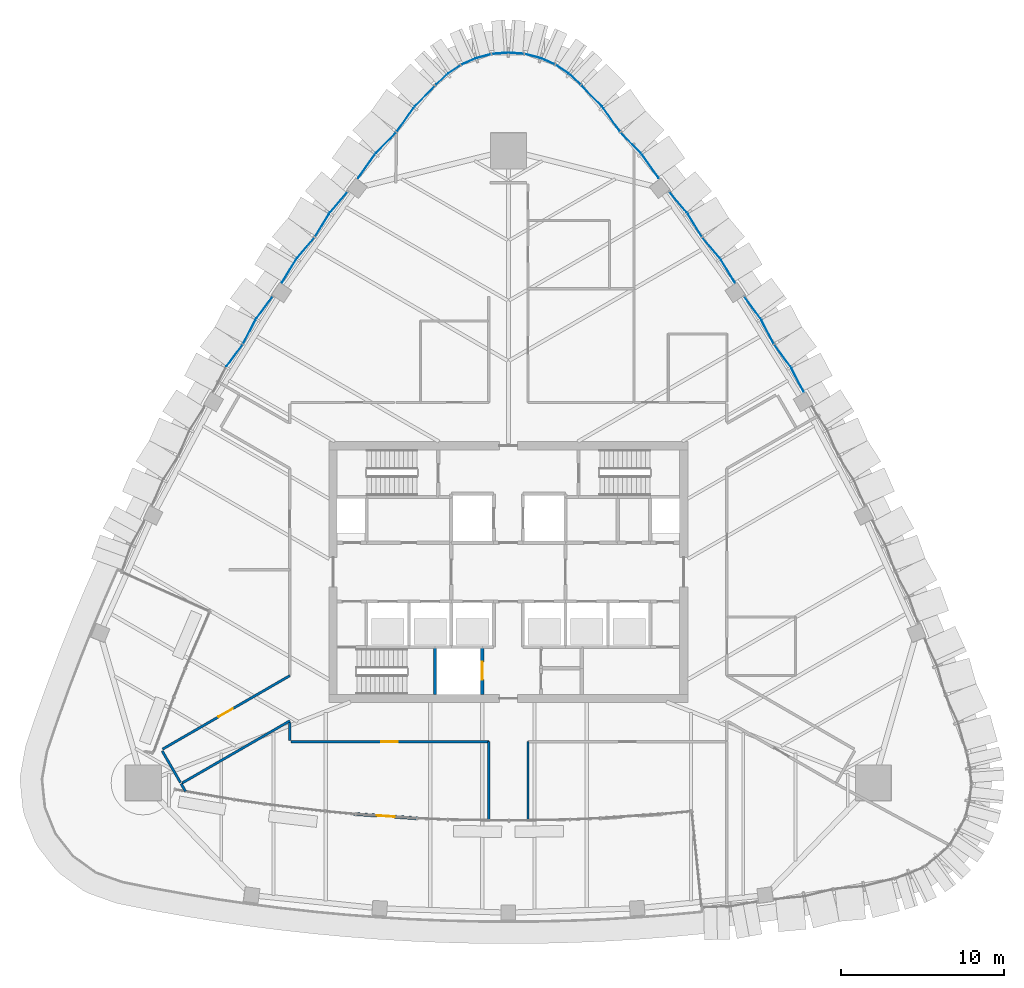
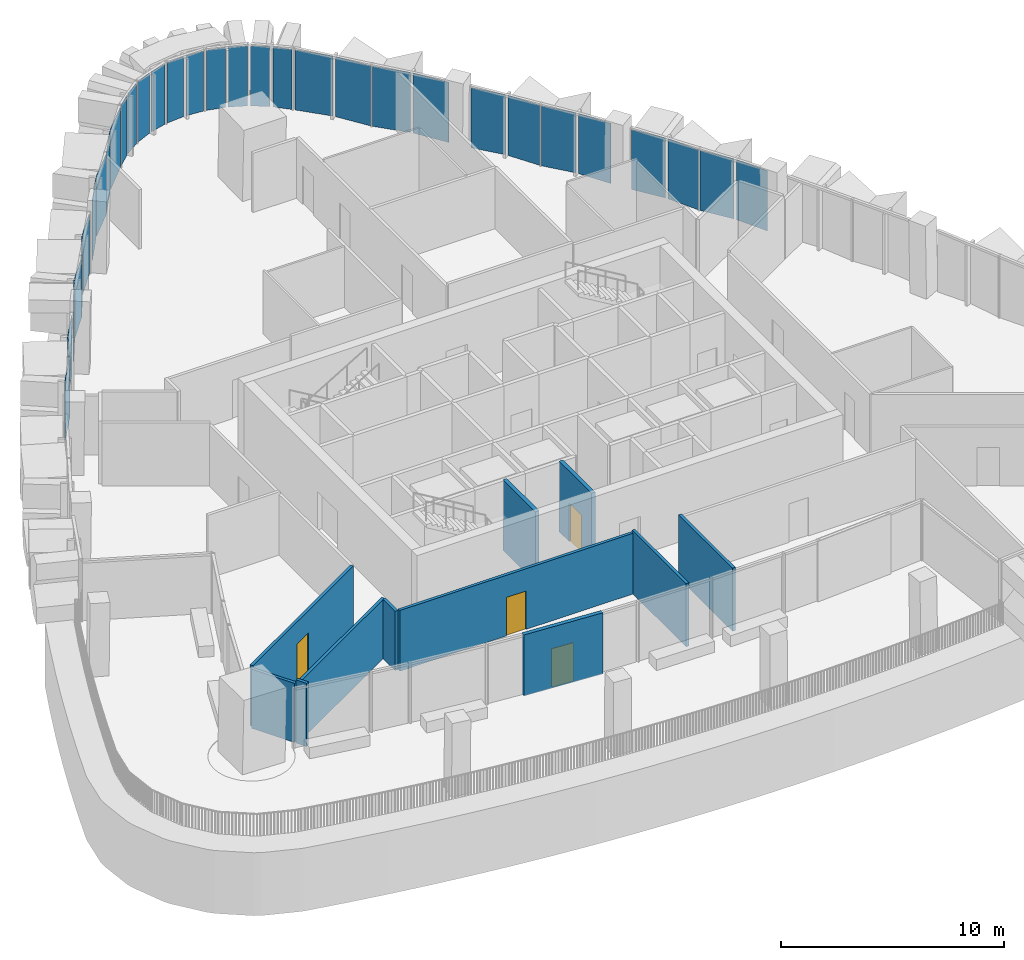
# One storey, part 11 of 22: 33 plates, 11 walls, 4 doors, 4 openings, 11 elements without a shape of their own.
"""IFC4 building model written with IfcOpenShell, lengths in metres."""

from ifc_helpers import new_model, si_unit, direction, frame, frame_2d, origin, place, context, subcontext, project, spatial, polyline, rectangle, outline, extrude, material, layer, layer_set, type_object, element, fill, aggregate, save


model = new_model("IFC4")

# Units and contexts
model_context = context("Model", 3, precision=1e-05, world=origin(), true_north=direction((0.0, 1.0)))
body_context = subcontext(model_context, "Body", "Model", "MODEL_VIEW")
ifc_project = project(units=[si_unit("LENGTHUNIT", "METRE"), si_unit("AREAUNIT", "SQUARE_METRE"), si_unit("VOLUMEUNIT", "CUBIC_METRE"), si_unit("PLANEANGLEUNIT", "RADIAN"), si_unit("MASSUNIT", "GRAM", prefix="KILO")], contexts=[model_context])

# Site, building, storey
site_placement = place(None, origin())
site = spatial("IfcSite", under=ifc_project, at=site_placement, CompositionType="ELEMENT")
building_placement = place(site_placement, origin())
building = spatial("IfcBuilding", under=site, at=building_placement, Name="Sierra Prisma Convention Tower", CompositionType="ELEMENT")
storey_placement = place(building_placement, frame((0.0, 0.0, 227.0)))
storey = spatial("IfcBuildingStorey", under=building, at=storey_placement, Name="L50", CompositionType="ELEMENT", Elevation=227.0)

# Curtain wall, plates
ifc_material_1 = material(Name="Aluminium and glass curtain wall", Category="aluminium")
ifc_layer_1 = layer(ifc_material_1, 0.179931640625)
ifc_layer_set_1 = layer_set([ifc_layer_1], Name="CW-2 Faceted crystal curtain wall")
curtain_wall_type = type_object("IfcCurtainWallType", Name="CW-2 Faceted crystal curtain wall", PredefinedType="NOTDEFINED", material=ifc_layer_set_1)
curtain_wall_1_placement = place(storey_placement, origin())
curtain_wall_1 = element("IfcCurtainWall", 1, at=curtain_wall_1_placement, inside=storey, type_object=curtain_wall_type, Name="CW-2 NE4 L50", PredefinedType="NOTDEFINED")
ifc_material_2 = material(Name="Tinted glass bronze-grey IGU", Category="glass")
ifc_layer_2 = layer(ifc_material_2, 0.028076171875)
ifc_layer_set_2 = layer_set([ifc_layer_2], Name="CW-2 crystal pane")
plate_type = type_object("IfcPlateType", Name="CW-2 crystal pane", PredefinedType="CURTAIN_PANEL", material=ifc_layer_set_2)
plate_1_placement = place(storey_placement, frame((18.117919921875, 11.060546875, 0.0), z_axis=(0.887389616855, 0.461020246732, 0.0), x_axis=(-0.461020246732, 0.887389616855, 0.0)))
plate_1 = element("IfcPlate", 2, at=plate_1_placement, type_object=plate_type, Name="CW-2 pane NE4.1.1", PredefinedType="CURTAIN_PANEL", context=body_context, shape_type="SweptSolid", body=[
    extrude(outline(polyline([(0.0, 0.0), (1.6416544454703834, 0.0), (1.6416544454703834, 3.280029296875), (0.0, 3.280029296875), (0.0, 0.0)])), origin(), (0.0, 0.0, -1.0), 0.028076171875),
])
plate_2_placement = place(storey_placement, frame((16.317138671875, 13.94775390625, 0.0), z_axis=(0.804333752814, 0.594177763035, 0.0), x_axis=(0.594177763035, -0.804333752814, 0.0)))
plate_2 = element("IfcPlate", 3, at=plate_2_placement, type_object=plate_type, Name="CW-2 pane NE4.1.2", PredefinedType="CURTAIN_PANEL", context=body_context, shape_type="SweptSolid", body=[
    extrude(outline(polyline([(0.0, 0.0), (1.6414983150730325, 0.0), (1.6414983150730325, -3.280029296875), (0.0, -3.280029296875), (0.0, 0.0)])), origin(), (0.0, 0.0, -1.0), 0.028076171875),
])
plate_3_placement = place(storey_placement, frame((16.2802734375, 14.00732421875, 0.0), z_axis=(0.887389616855, 0.461020246732, 0.0), x_axis=(-0.461020246732, 0.887389616855, 0.0)))
plate_3 = element("IfcPlate", 4, at=plate_3_placement, type_object=plate_type, Name="CW-2 pane NE4.2.1", PredefinedType="CURTAIN_PANEL", context=body_context, shape_type="SweptSolid", body=[
    extrude(outline(polyline([(0.0, 0.0), (1.6416544454703834, 0.0), (1.6416544454703834, 3.280029296875), (0.0, 3.280029296875), (0.0, 0.0)])), origin(), (0.0, 0.0, -1.0), 0.028076171875),
])
plate_4_placement = place(storey_placement, frame((14.4794921875, 16.89453125, 0.0), z_axis=(0.80438625223, 0.594106688419, 0.0), x_axis=(0.594106688419, -0.80438625223, 0.0)))
plate_4 = element("IfcPlate", 5, at=plate_4_placement, type_object=plate_type, Name="CW-2 pane NE4.2.2", PredefinedType="CURTAIN_PANEL", context=body_context, shape_type="SweptSolid", body=[
    extrude(outline(polyline([(0.0, 0.0), (1.6416946920271562, 0.0), (1.6416946920271562, -3.280029296875001), (0.0, -3.280029296875001), (0.0, 0.0)])), origin(), (0.0, 0.0, -1.0), 0.028076171875),
])
aggregate(curtain_wall_1, [plate_1, plate_2, plate_3, plate_4])

curtain_wall_2_placement = place(storey_placement, origin())
curtain_wall_2 = element("IfcCurtainWall", 6, at=curtain_wall_2_placement, inside=storey, type_object=curtain_wall_type, Name="CW-2 NE5 L50", PredefinedType="NOTDEFINED")
plate_5_placement = place(storey_placement, frame((13.893310546875, 17.767578125, 0.0), z_axis=(0.853912784425, 0.520416137909, 0.0), x_axis=(-0.520416137909, 0.853912784425, 0.0)))
plate_5 = element("IfcPlate", 7, at=plate_5_placement, type_object=plate_type, Name="CW-2 pane NE5.1.1", PredefinedType="CURTAIN_PANEL", context=body_context, shape_type="SweptSolid", body=[
    extrude(outline(polyline([(0.0, 0.0), (1.6339650808896473, 0.0), (1.6339650808896473, 3.280029296875), (0.0, 3.280029296875), (0.0, 0.0)])), origin(), (0.0, 0.0, -1.0), 0.028076171875),
])
plate_6_placement = place(storey_placement, frame((11.9091796875, 20.51318359375, 0.0), z_axis=(0.762013044128, 0.647561673186, 0.0), x_axis=(0.647561673186, -0.762013044128, 0.0)))
plate_6 = element("IfcPlate", 8, at=plate_6_placement, type_object=plate_type, Name="CW-2 pane NE5.1.2", PredefinedType="CURTAIN_PANEL", context=body_context, shape_type="SweptSolid", body=[
    extrude(outline(polyline([(0.0, 0.0), (1.6339840860934256, 0.0), (1.6339840860934256, -3.280029296875), (0.0, -3.280029296875), (0.0, 0.0)])), origin(), (0.0, 0.0, -1.0), 0.028076171875),
])
plate_7_placement = place(storey_placement, frame((11.8681640625, 20.570068359375, 0.0), z_axis=(0.853953243474, 0.520349745805, 0.0), x_axis=(-0.520349745805, 0.853953243474, 0.0)))
plate_7 = element("IfcPlate", 9, at=plate_7_placement, type_object=plate_type, Name="CW-2 pane NE5.2.1", PredefinedType="CURTAIN_PANEL", context=body_context, shape_type="SweptSolid", body=[
    extrude(outline(polyline([(0.0, 0.0), (1.6341735606296959, 0.0), (1.6341735606296959, 3.280029296875), (0.0, 3.280029296875), (0.0, 0.0)])), origin(), (0.0, 0.0, -1.0), 0.028076171875),
])
plate_8_placement = place(storey_placement, frame((9.884033203125, 23.31591796875, 0.0), z_axis=(0.762149408278, 0.647401173509, 0.0), x_axis=(0.647401173509, -0.762149408278, 0.0)))
plate_8 = element("IfcPlate", 10, at=plate_8_placement, type_object=plate_type, Name="CW-2 pane NE5.2.2", PredefinedType="CURTAIN_PANEL", context=body_context, shape_type="SweptSolid", body=[
    extrude(outline(polyline([(0.0, 0.0), (1.63401206456123, 0.0), (1.63401206456123, -3.280029296875), (0.0, -3.280029296875), (0.0, 0.0)])), origin(), (0.0, 0.0, -1.0), 0.028076171875),
])
aggregate(curtain_wall_2, [plate_5, plate_6, plate_7, plate_8])

curtain_wall_3_placement = place(storey_placement, origin())
curtain_wall_3 = element("IfcCurtainWall", 11, at=curtain_wall_3_placement, inside=storey, type_object=curtain_wall_type, Name="CW-2 NE6 L50", PredefinedType="NOTDEFINED")
plate_9_placement = place(storey_placement, frame((9.221923828125, 24.17138671875, 0.0), z_axis=(0.816632809435, 0.577157564756, 0.0), x_axis=(-0.577157564756, 0.816632809435, 0.0)))
plate_9 = element("IfcPlate", 12, at=plate_9_placement, type_object=plate_type, Name="CW-2 pane NE6.1.1", PredefinedType="CURTAIN_PANEL", context=body_context, shape_type="SweptSolid", body=[
    extrude(outline(polyline([(0.0, 0.0), (1.757586418024108, 0.0), (1.757586418024108, 3.280029296875), (0.0, 3.280029296875), (0.0, 0.0)])), origin(), (0.0, 0.0, -1.0), 0.028076171875),
])
plate_10_placement = place(storey_placement, frame((6.898193359375, 26.965087890625, 0.0), z_axis=(0.716215345713, 0.697879343845, 0.0), x_axis=(0.697879343845, -0.716215345713, 0.0)))
plate_10 = element("IfcPlate", 13, at=plate_10_placement, type_object=plate_type, Name="CW-2 pane NE6.1.2", PredefinedType="CURTAIN_PANEL", context=body_context, shape_type="SweptSolid", body=[
    extrude(outline(polyline([(0.0, 0.0), (1.7575566762627826, 0.0), (1.7575566762627826, -3.280029296875001), (0.0, -3.280029296875001), (0.0, 0.0)])), origin(), (0.0, 0.0, -1.0), 0.028076171875),
])
plate_11_placement = place(storey_placement, frame((6.853515625, 27.01904296875, 0.0), z_axis=(0.816521048728, 0.577315664939, 0.0), x_axis=(-0.577315664939, 0.816521048728, 0.0)))
plate_11 = element("IfcPlate", 14, at=plate_11_placement, type_object=plate_type, Name="CW-2 pane NE6.2.1", PredefinedType="CURTAIN_PANEL", context=body_context, shape_type="SweptSolid", body=[
    extrude(outline(polyline([(0.0, 0.0), (1.7575279853296557, 0.0), (1.7575279853296557, 3.280029296875), (0.0, 3.280029296875), (0.0, 0.0)])), origin(), (0.0, 0.0, -1.0), 0.028076171875),
])
plate_12_placement = place(storey_placement, frame((4.529541015625, 29.812744140625, 0.0), z_axis=(0.716215345713, 0.697879343845, 0.0), x_axis=(0.697879343845, -0.716215345713, 0.0)))
plate_12 = element("IfcPlate", 15, at=plate_12_placement, type_object=plate_type, Name="CW-2 pane NE6.2.2", PredefinedType="CURTAIN_PANEL", context=body_context, shape_type="SweptSolid", body=[
    extrude(outline(polyline([(0.0, 0.0), (1.7575566762627826, 0.0), (1.7575566762627826, -3.280029296875001), (0.0, -3.280029296875001), (0.0, 0.0)])), origin(), (0.0, 0.0, -1.0), 0.028076171875),
])
aggregate(curtain_wall_3, [plate_9, plate_10, plate_11, plate_12])

curtain_wall_4_placement = place(storey_placement, origin())
curtain_wall_4 = element("IfcCurtainWall", 16, at=curtain_wall_4_placement, inside=storey, type_object=curtain_wall_type, Name="CW-2 N1 L50", PredefinedType="NOTDEFINED")
plate_13_placement = place(storey_placement, frame((4.43017578125, 29.91015625, 0.0), z_axis=(0.68373712139, 0.729728407582, 0.0), x_axis=(-0.729728407582, 0.68373712139, 0.0)))
plate_13 = element("IfcPlate", 17, at=plate_13_placement, type_object=plate_type, Name="CW-2 pane N1.1.1", PredefinedType="CURTAIN_PANEL", context=body_context, shape_type="SweptSolid", body=[
    extrude(outline(polyline([(0.0, 0.0), (0.8758877270071821, 0.0), (0.8758877270071821, 3.280029296875), (0.0, 3.280029296875), (0.0, 0.0)])), origin(), (0.0, 0.0, -1.0), 0.028076171875),
])
plate_14_placement = place(storey_placement, frame((2.96484375, 31.08154296875, 0.0), z_axis=(0.561180963663, 0.827693135179, 0.0), x_axis=(0.827693135179, -0.561180963663, 0.0)))
plate_14 = element("IfcPlate", 18, at=plate_14_placement, type_object=plate_type, Name="CW-2 pane N1.1.2", PredefinedType="CURTAIN_PANEL", context=body_context, shape_type="SweptSolid", body=[
    extrude(outline(polyline([(0.0, 0.0), (0.8757515132323621, 0.0), (0.8757515132323621, -3.280029296875), (0.0, -3.280029296875), (0.0, 0.0)])), origin(), (0.0, 0.0, -1.0), 0.028076171875),
])
aggregate(curtain_wall_4, [plate_13, plate_14])

curtain_wall_5_placement = place(storey_placement, origin())
curtain_wall_5 = element("IfcCurtainWall", 19, at=curtain_wall_5_placement, inside=storey, type_object=curtain_wall_type, Name="CW-2 N2 L50", PredefinedType="NOTDEFINED")
plate_15_placement = place(storey_placement, frame((2.84423828125, 31.148193359375, 0.0), z_axis=(0.403887238805, 0.91480877692, 0.0), x_axis=(-0.91480877692, 0.403887238805, 0.0)))
plate_15 = element("IfcPlate", 20, at=plate_15_placement, type_object=plate_type, Name="CW-2 pane N2.1.1", PredefinedType="CURTAIN_PANEL", context=body_context, shape_type="SweptSolid", body=[
    extrude(outline(polyline([(0.0, 0.0), (0.8758874548049251, 0.0), (0.8758874548049251, 3.280029296875), (0.0, 3.280029296875), (0.0, 0.0)])), origin(), (0.0, 0.0, -1.0), 0.028076171875),
])
plate_16_placement = place(storey_placement, frame((1.073974609375, 31.768798828125, 0.0), z_axis=(0.255632035219, 0.966774152825, 0.0), x_axis=(0.966774152825, -0.255632035219, 0.0)))
plate_16 = element("IfcPlate", 21, at=plate_16_placement, type_object=plate_type, Name="CW-2 pane N2.1.2", PredefinedType="CURTAIN_PANEL", context=body_context, shape_type="SweptSolid", body=[
    extrude(outline(polyline([(0.0, 0.0), (0.8757781587626122, 0.0), (0.8757781587626122, -3.280029296875001), (0.0, -3.280029296875001), (0.0, 0.0)])), origin(), (0.0, 0.0, -1.0), 0.028076171875),
])
aggregate(curtain_wall_5, [plate_15, plate_16])

curtain_wall_6_placement = place(storey_placement, origin())
curtain_wall_6 = element("IfcCurtainWall", 22, at=curtain_wall_6_placement, inside=storey, type_object=curtain_wall_type, Name="CW-2 N3 L50", PredefinedType="NOTDEFINED")
plate_17_placement = place(storey_placement, frame((0.93798828125, 31.7919921875, 0.0), z_axis=(0.078593153562, 0.996906774083, 0.0), x_axis=(-0.996906774083, 0.078593153562, 0.0)))
plate_17 = element("IfcPlate", 23, at=plate_17_placement, type_object=plate_type, Name="CW-2 pane N3.1.1", PredefinedType="CURTAIN_PANEL", context=body_context, shape_type="SweptSolid", body=[
    extrude(outline(polyline([(0.0, 0.0), (0.8760006836426911, 0.0), (0.8760006836426911, 3.280029296874999), (0.0, 3.280029296874999), (0.0, 0.0)])), origin(), (0.0, 0.0, -1.0), 0.028076171875),
])
plate_18_placement = place(storey_placement, frame((-0.93798828125, 31.7919921875, 0.0), z_axis=(-0.078593153562, 0.996906774083, 0.0), x_axis=(0.996906774083, 0.078593153562, 0.0)))
plate_18 = element("IfcPlate", 24, at=plate_18_placement, type_object=plate_type, Name="CW-2 pane N3.1.2", PredefinedType="CURTAIN_PANEL", context=body_context, shape_type="SweptSolid", body=[
    extrude(outline(polyline([(0.0, 0.0), (0.8760006836426911, 0.0), (0.8760006836426911, -3.280029296874999), (0.0, -3.280029296874999), (0.0, 0.0)])), origin(), (0.0, 0.0, -1.0), 0.028076171875),
])
aggregate(curtain_wall_6, [plate_17, plate_18])

curtain_wall_7_placement = place(storey_placement, origin())
curtain_wall_7 = element("IfcCurtainWall", 25, at=curtain_wall_7_placement, inside=storey, type_object=curtain_wall_type, Name="CW-2 N4 L50", PredefinedType="NOTDEFINED")
plate_19_placement = place(storey_placement, frame((-1.073974609375, 31.768798828125, 0.0), z_axis=(-0.255632035219, 0.966774152825, 0.0), x_axis=(-0.966774152825, -0.255632035219, 0.0)))
plate_19 = element("IfcPlate", 26, at=plate_19_placement, type_object=plate_type, Name="CW-2 pane N4.1.1", PredefinedType="CURTAIN_PANEL", context=body_context, shape_type="SweptSolid", body=[
    extrude(outline(polyline([(0.0, 0.0), (0.8757781587626122, 0.0), (0.8757781587626122, 3.280029296875001), (0.0, 3.280029296875001), (0.0, 0.0)])), origin(), (0.0, 0.0, -1.0), 0.028076171875),
])
plate_20_placement = place(storey_placement, frame((-2.84423828125, 31.148193359375, 0.0), z_axis=(-0.403887238805, 0.91480877692, 0.0), x_axis=(0.91480877692, 0.403887238805, 0.0)))
plate_20 = element("IfcPlate", 27, at=plate_20_placement, type_object=plate_type, Name="CW-2 pane N4.1.2", PredefinedType="CURTAIN_PANEL", context=body_context, shape_type="SweptSolid", body=[
    extrude(outline(polyline([(0.0, 0.0), (0.8758874548049251, 0.0), (0.8758874548049251, -3.280029296875), (0.0, -3.280029296875), (0.0, 0.0)])), origin(), (0.0, 0.0, -1.0), 0.028076171875),
])
aggregate(curtain_wall_7, [plate_19, plate_20])

curtain_wall_8_placement = place(storey_placement, origin())
curtain_wall_8 = element("IfcCurtainWall", 28, at=curtain_wall_8_placement, inside=storey, type_object=curtain_wall_type, Name="CW-2 N5 L50", PredefinedType="NOTDEFINED")
plate_21_placement = place(storey_placement, frame((-2.96484375, 31.08154296875, 0.0), z_axis=(-0.561180963663, 0.827693135179, 0.0), x_axis=(-0.827693135179, -0.561180963663, 0.0)))
plate_21 = element("IfcPlate", 29, at=plate_21_placement, type_object=plate_type, Name="CW-2 pane N5.1.1", PredefinedType="CURTAIN_PANEL", context=body_context, shape_type="SweptSolid", body=[
    extrude(outline(polyline([(0.0, 0.0), (0.8757515132323621, 0.0), (0.8757515132323621, 3.280029296875), (0.0, 3.280029296875), (0.0, 0.0)])), origin(), (0.0, 0.0, -1.0), 0.028076171875),
])
plate_22_placement = place(storey_placement, frame((-4.43017578125, 29.91015625, 0.0), z_axis=(-0.68373712139, 0.729728407582, 0.0), x_axis=(0.729728407582, 0.68373712139, 0.0)))
plate_22 = element("IfcPlate", 30, at=plate_22_placement, type_object=plate_type, Name="CW-2 pane N5.1.2", PredefinedType="CURTAIN_PANEL", context=body_context, shape_type="SweptSolid", body=[
    extrude(outline(polyline([(0.0, 0.0), (0.8758877270071821, 0.0), (0.8758877270071821, -3.280029296875), (0.0, -3.280029296875), (0.0, 0.0)])), origin(), (0.0, 0.0, -1.0), 0.028076171875),
])
aggregate(curtain_wall_8, [plate_21, plate_22])

curtain_wall_9_placement = place(storey_placement, origin())
curtain_wall_9 = element("IfcCurtainWall", 31, at=curtain_wall_9_placement, inside=storey, type_object=curtain_wall_type, Name="CW-2 NW1 L50", PredefinedType="NOTDEFINED")
plate_23_placement = place(storey_placement, frame((-4.529541015625, 29.812744140625, 0.0), z_axis=(-0.716215345713, 0.697879343845, 0.0), x_axis=(-0.697879343845, -0.716215345713, 0.0)))
plate_23 = element("IfcPlate", 32, at=plate_23_placement, type_object=plate_type, Name="CW-2 pane NW1.1.1", PredefinedType="CURTAIN_PANEL", context=body_context, shape_type="SweptSolid", body=[
    extrude(outline(polyline([(0.0, 0.0), (1.7575566762627826, 0.0), (1.7575566762627826, 3.280029296875001), (0.0, 3.280029296875001), (0.0, 0.0)])), origin(), (0.0, 0.0, -1.0), 0.028076171875),
])
plate_24_placement = place(storey_placement, frame((-6.853515625, 27.01904296875, 0.0), z_axis=(-0.816521048728, 0.577315664939, 0.0), x_axis=(0.577315664939, 0.816521048728, 0.0)))
plate_24 = element("IfcPlate", 33, at=plate_24_placement, type_object=plate_type, Name="CW-2 pane NW1.1.2", PredefinedType="CURTAIN_PANEL", context=body_context, shape_type="SweptSolid", body=[
    extrude(outline(polyline([(0.0, 0.0), (1.7575279853296557, 0.0), (1.7575279853296557, -3.280029296875), (0.0, -3.280029296875), (0.0, 0.0)])), origin(), (0.0, 0.0, -1.0), 0.028076171875),
])
plate_25_placement = place(storey_placement, frame((-6.898193359375, 26.965087890625, 0.0), z_axis=(-0.716215345713, 0.697879343845, 0.0), x_axis=(-0.697879343845, -0.716215345713, 0.0)))
plate_25 = element("IfcPlate", 34, at=plate_25_placement, type_object=plate_type, Name="CW-2 pane NW1.2.1", PredefinedType="CURTAIN_PANEL", context=body_context, shape_type="SweptSolid", body=[
    extrude(outline(polyline([(0.0, 0.0), (1.7575566762627826, 0.0), (1.7575566762627826, 3.280029296875001), (0.0, 3.280029296875001), (0.0, 0.0)])), origin(), (0.0, 0.0, -1.0), 0.028076171875),
])
plate_26_placement = place(storey_placement, frame((-9.221923828125, 24.17138671875, 0.0), z_axis=(-0.816632809435, 0.577157564756, 0.0), x_axis=(0.577157564756, 0.816632809435, 0.0)))
plate_26 = element("IfcPlate", 35, at=plate_26_placement, type_object=plate_type, Name="CW-2 pane NW1.2.2", PredefinedType="CURTAIN_PANEL", context=body_context, shape_type="SweptSolid", body=[
    extrude(outline(polyline([(0.0, 0.0), (1.757586418024108, 0.0), (1.757586418024108, -3.280029296875), (0.0, -3.280029296875), (0.0, 0.0)])), origin(), (0.0, 0.0, -1.0), 0.028076171875),
])
aggregate(curtain_wall_9, [plate_23, plate_24, plate_25, plate_26])

curtain_wall_10_placement = place(storey_placement, origin())
curtain_wall_10 = element("IfcCurtainWall", 36, at=curtain_wall_10_placement, inside=storey, type_object=curtain_wall_type, Name="CW-2 NW2 L50", PredefinedType="NOTDEFINED")
plate_27_placement = place(storey_placement, frame((-9.885009765625, 23.314453125, 0.0), z_axis=(-0.762086774885, 0.647474901093, 0.0), x_axis=(-0.647474901093, -0.762086774885, 0.0)))
plate_27 = element("IfcPlate", 37, at=plate_27_placement, type_object=plate_type, Name="CW-2 pane NW2.1.1", PredefinedType="CURTAIN_PANEL", context=body_context, shape_type="SweptSolid", body=[
    extrude(outline(polyline([(0.0, 0.0), (1.6338260005735923, 0.0), (1.6338260005735923, 3.280029296875001), (0.0, 3.280029296875001), (0.0, 0.0)])), origin(), (0.0, 0.0, -1.0), 0.028076171875),
])
plate_28_placement = place(storey_placement, frame((-11.86865234375, 20.5693359375, 0.0), z_axis=(-0.853938720899, 0.520373578259, 0.0), x_axis=(0.520373578259, 0.853938720899, 0.0)))
plate_28 = element("IfcPlate", 38, at=plate_28_placement, type_object=plate_type, Name="CW-2 pane NW2.1.2", PredefinedType="CURTAIN_PANEL", context=body_context, shape_type="SweptSolid", body=[
    extrude(outline(polyline([(0.0, 0.0), (1.6336295533965812, 0.0), (1.6336295533965812, -3.280029296875001), (0.0, -3.280029296875001), (0.0, 0.0)])), origin(), (0.0, 0.0, -1.0), 0.028076171875),
])
plate_29_placement = place(storey_placement, frame((-11.90966796875, 20.5126953125, 0.0), z_axis=(-0.762160510027, 0.647388103811, 0.0), x_axis=(-0.647388103811, -0.762160510027, 0.0)))
plate_29 = element("IfcPlate", 39, at=plate_29_placement, type_object=plate_type, Name="CW-2 pane NW2.2.1", PredefinedType="CURTAIN_PANEL", context=body_context, shape_type="SweptSolid", body=[
    extrude(outline(polyline([(0.0, 0.0), (1.6336679362414261, 0.0), (1.6336679362414261, 3.280029296875001), (0.0, 3.280029296875001), (0.0, 0.0)])), origin(), (0.0, 0.0, -1.0), 0.028076171875),
])
plate_30_placement = place(storey_placement, frame((-13.893310546875, 17.767578125, 0.0), z_axis=(-0.853938720899, 0.520373578259, 0.0), x_axis=(0.520373578259, 0.853938720899, 0.0)))
plate_30 = element("IfcPlate", 40, at=plate_30_placement, type_object=plate_type, Name="CW-2 pane NW2.2.2", PredefinedType="CURTAIN_PANEL", context=body_context, shape_type="SweptSolid", body=[
    extrude(outline(polyline([(0.0, 0.0), (1.6336295533965812, 0.0), (1.6336295533965812, -3.280029296875001), (0.0, -3.280029296875001), (0.0, 0.0)])), origin(), (0.0, 0.0, -1.0), 0.028076171875),
])
aggregate(curtain_wall_10, [plate_27, plate_28, plate_29, plate_30])

curtain_wall_11_placement = place(storey_placement, origin())
curtain_wall_11 = element("IfcCurtainWall", 41, at=curtain_wall_11_placement, inside=storey, type_object=curtain_wall_type, Name="CW-2 NW3 L50", PredefinedType="NOTDEFINED")
plate_31_placement = place(storey_placement, frame((-14.4794921875, 16.894287109375, 0.0), z_axis=(-0.804333752814, 0.594177763035, 0.0), x_axis=(-0.594177763035, -0.804333752814, 0.0)))
plate_31 = element("IfcPlate", 42, at=plate_31_placement, type_object=plate_type, Name="CW-2 pane NW3.1.1", PredefinedType="CURTAIN_PANEL", context=body_context, shape_type="SweptSolid", body=[
    extrude(outline(polyline([(0.0, 0.0), (1.6414983150730325, 0.0), (1.6414983150730325, 3.280029296875), (0.0, 3.280029296875), (0.0, 0.0)])), origin(), (0.0, 0.0, -1.0), 0.028076171875),
])
plate_32_placement = place(storey_placement, frame((-16.2802734375, 14.007080078125, 0.0), z_axis=(-0.887389616855, 0.461020246732, 0.0), x_axis=(0.461020246732, 0.887389616855, 0.0)))
plate_32 = element("IfcPlate", 43, at=plate_32_placement, type_object=plate_type, Name="CW-2 pane NW3.1.2", PredefinedType="CURTAIN_PANEL", context=body_context, shape_type="SweptSolid", body=[
    extrude(outline(polyline([(0.0, 0.0), (1.6416544454703834, 0.0), (1.6416544454703834, -3.280029296875), (0.0, -3.280029296875), (0.0, 0.0)])), origin(), (0.0, 0.0, -1.0), 0.028076171875),
])
plate_33_placement = place(storey_placement, frame((-16.3173828125, 13.94775390625, 0.0), z_axis=(-0.80438625223, 0.594106688419, 0.0), x_axis=(-0.594106688419, -0.80438625223, 0.0)))
plate_33 = element("IfcPlate", 44, at=plate_33_placement, type_object=plate_type, Name="CW-2 pane NW3.2.1", PredefinedType="CURTAIN_PANEL", context=body_context, shape_type="SweptSolid", body=[
    extrude(outline(polyline([(0.0, 0.0), (1.6416946920271562, 0.0), (1.6416946920271562, 3.280029296875001), (0.0, 3.280029296875001), (0.0, 0.0)])), origin(), (0.0, 0.0, -1.0), 0.028076171875),
])
aggregate(curtain_wall_11, [plate_31, plate_32, plate_33])

# Wall
ifc_material_3 = material(Name="Concrete C30/37", Category="concrete")
ifc_layer_3 = layer(ifc_material_3, 0.199951171875)
ifc_layer_set_3 = layer_set([ifc_layer_3], Name="Core wall RC 200 C30/37")
wall_type_1 = type_object("IfcWallType", Name="Core wall RC 200 C30/37", PredefinedType="SOLIDWALL", material=ifc_layer_set_3)
wall_1_placement = place(storey_placement, frame((-4.5, -4.60009765625, 0.0), z_axis=(0.0, 0.0, 1.0), x_axis=(0.0, -1.0, 0.0)))
element("IfcWall", 45, at=wall_1_placement, inside=storey, type_object=wall_type_1, Name="Core wall L50 14", PredefinedType="SOLIDWALL", context=body_context, shape_type="SweptSolid", body=[
    extrude(rectangle(XDim=2.89990234375, YDim=0.199951171875, at=frame_2d((1.449951171875, 0.0))), origin(), (0.0, 0.0, 1.0), 3.85009765625),
])

# Wall, opening, door
wall_2_placement = place(storey_placement, frame((-1.60009765625, -7.5, 0.0), z_axis=(0.0, 0.0, 1.0), x_axis=(0.0, 1.0, 0.0)))
wall_2 = element("IfcWall", 46, at=wall_2_placement, inside=storey, type_object=wall_type_1, Name="Core wall L50 27", PredefinedType="SOLIDWALL", context=body_context, shape_type="SweptSolid", body=[
    extrude(rectangle(XDim=2.89990234375, YDim=0.199951171875, at=frame_2d((1.449951171875, 0.0))), origin(), (0.0, 0.0, 1.0), 3.85009765625),
])
opening_1_placement = place(wall_2_placement, frame((0.89990234375, 0.0, 0.0)))
opening_1 = element("IfcOpeningElement", 47, at=opening_1_placement, cuts=wall_2, Name="Opening L50-D011", PredefinedType="OPENING", context=body_context, shape_type="SweptSolid", body=[
    extrude(rectangle(XDim=1.10009765625, YDim=2.10009765625, at=frame_2d((0.550048828125, 1.050048828125))), frame((0.0, 0.10009765625, 0.0), z_axis=(0.0, -1.0, 0.0), x_axis=(1.0, 0.0, 0.0)), (0.0, 0.0, 1.0), 0.199951171875),
])
ifc_material_4 = material(Name="Steel fire door leaf", Category="steel")
door_type_1 = type_object("IfcDoorType", Name="Door 1100x2100 EI 90 sliding lift landing", OperationType="SLIDING_TO_LEFT", PredefinedType="DOOR", material=ifc_material_4)
door_1_placement = place(opening_1_placement, origin())
door_1 = element("IfcDoor", 48, at=door_1_placement, inside=storey, type_object=door_type_1, Name="Door L50 23", OperationType="SLIDING_TO_RIGHT", OverallHeight=2.10009765625, OverallWidth=1.10009765625, PredefinedType="DOOR", context=body_context, shape_type="SweptSolid", body=[
    extrude(rectangle(XDim=1.10009765625, YDim=2.10009765625, at=frame_2d((0.550048828125, 1.050048828125))), frame((0.0, 0.02490234375, 0.0), z_axis=(0.0, -1.0, 0.0), x_axis=(1.0, 0.0, 0.0)), (0.0, 0.0, 1.0), 0.050048828125),
])
fill(opening_1, door_1)

# Wall
ifc_material_5 = material(Name="Gypsum board partition", Category="gypsum")
ifc_layer_4 = layer(ifc_material_5, 0.14990234375)
ifc_layer_set_4 = layer_set([ifc_layer_4], Name="Corridor wall 150 gypsum EI 60")
wall_type_2 = type_object("IfcWallType", Name="Corridor wall 150 gypsum EI 60", PredefinedType="PARTITIONING", material=ifc_layer_set_4)
wall_3_placement = place(storey_placement, frame((-21.23193359375, -10.965087890625, 0.0), z_axis=(0.0, 0.0, 1.0), x_axis=(0.49994888933, -0.866054910533, 0.0)))
element("IfcWall", 49, at=wall_3_placement, inside=storey, type_object=wall_type_2, Name="Partition L50 corr 1", PredefinedType="PARTITIONING", context=body_context, shape_type="SweptSolid", body=[
    extrude(rectangle(XDim=2.239990234375, YDim=0.14990234375, at=frame_2d((1.1201171875, 0.0))), origin(), (0.0, 0.0, 1.0), 3.23291015625),
])

# Wall, opening, door
wall_4_placement = place(storey_placement, frame((-13.39990234375, -6.350830078125, 0.0), z_axis=(0.0, 0.0, 1.0), x_axis=(-0.866033522472, -0.499985937757, 0.0)))
wall_4 = element("IfcWall", 50, at=wall_4_placement, inside=storey, type_object=wall_type_2, Name="Partition L50 corr 4", PredefinedType="PARTITIONING", context=body_context, shape_type="SweptSolid", body=[
    extrude(rectangle(XDim=9.010009765625, YDim=0.14990234375, at=frame_2d((4.5048828125, 0.0))), origin(), (0.0, 0.0, 1.0), 3.31689453125),
])
opening_2_placement = place(wall_4_placement, frame((4.044921875, 0.0, 0.0)))
opening_2 = element("IfcOpeningElement", 51, at=opening_2_placement, cuts=wall_4, Name="Opening L50-D037", PredefinedType="OPENING", context=body_context, shape_type="SweptSolid", body=[
    extrude(rectangle(XDim=1.0, YDim=2.10009765625, at=frame_2d((0.5, 1.050048828125))), frame((0.0, 0.074951171875, 0.0), z_axis=(0.0, -1.0, 0.0), x_axis=(1.0, 0.0, 0.0)), (0.0, 0.0, 1.0), 0.14990234375),
])
ifc_material_6 = material(Name="Steel fire door leaf", Category="steel")
door_type_2 = type_object("IfcDoorType", Name="Door 1000x2100 FD30S", OperationType="SINGLE_SWING_LEFT", PredefinedType="DOOR", material=ifc_material_6)
door_2_placement = place(opening_2_placement, origin())
door_2 = element("IfcDoor", 52, at=door_2_placement, inside=storey, type_object=door_type_2, Name="Door L50 9", OperationType="SINGLE_SWING_LEFT", OverallHeight=2.10009765625, OverallWidth=1.0, PredefinedType="DOOR", context=body_context, shape_type="SweptSolid", body=[
    extrude(rectangle(XDim=1.0, YDim=2.10009765625, at=frame_2d((0.5, 1.050048828125))), frame((0.0, 0.02490234375, 0.0), z_axis=(0.0, -1.0, 0.0), x_axis=(1.0, 0.0, 0.0)), (0.0, 0.0, 1.0), 0.050048828125),
])
fill(opening_2, door_2)

# Walls
wall_5_placement = place(storey_placement, frame((-20.002685546875, -12.93408203125, 0.0), z_axis=(0.0, 0.0, 1.0), x_axis=(0.866031477394, 0.499989480053, 0.0)))
element("IfcWall", 53, at=wall_5_placement, inside=storey, type_object=wall_type_2, Name="Partition L50 corr 5", PredefinedType="PARTITIONING", context=body_context, shape_type="SweptSolid", body=[
    extrude(rectangle(XDim=7.624267578125, YDim=0.14990234375, at=frame_2d((3.81201171875, 0.0))), origin(), (0.0, 0.0, 1.0), 3.23291015625),
])
wall_6_placement = place(storey_placement, frame((-13.39990234375, -9.213623046875, 0.0), z_axis=(0.0, 0.0, 1.0), x_axis=(0.0, -1.0, 0.0)))
element("IfcWall", 54, at=wall_6_placement, inside=storey, type_object=wall_type_2, Name="Partition L50 corr 6", PredefinedType="PARTITIONING", context=body_context, shape_type="SweptSolid", body=[
    extrude(rectangle(XDim=1.1064453125, YDim=0.14990234375, at=frame_2d((0.55322265625, 0.0))), origin(), (0.0, 0.0, 1.0), 3.23291015625),
])

# Wall, opening, door
wall_7_placement = place(storey_placement, frame((-13.320068359375, -10.39990234375, 0.0), z_axis=(0.0, 0.0, 1.0), x_axis=(1.0, 0.0, 0.0)))
wall_7 = element("IfcWall", 55, at=wall_7_placement, inside=storey, type_object=wall_type_2, Name="Partition L50 corr 10", PredefinedType="PARTITIONING", context=body_context, shape_type="SweptSolid", body=[
    extrude(rectangle(XDim=12.1201171875, YDim=0.14990234375, at=frame_2d((6.06005859375, 0.0))), origin(), (0.0, 0.0, 1.0), 3.31689453125),
])
opening_3_placement = place(wall_7_placement, frame((5.52001953125, 0.0, 0.0)))
opening_3 = element("IfcOpeningElement", 56, at=opening_3_placement, cuts=wall_7, Name="Opening L50-D038", PredefinedType="OPENING", context=body_context, shape_type="SweptSolid", body=[
    extrude(rectangle(XDim=1.0, YDim=2.10009765625, at=frame_2d((0.5, 1.050048828125))), frame((0.0, 0.074951171875, 0.0), z_axis=(0.0, -1.0, 0.0), x_axis=(1.0, 0.0, 0.0)), (0.0, 0.0, 1.0), 0.14990234375),
])
door_3_placement = place(opening_3_placement, origin())
door_3 = element("IfcDoor", 57, at=door_3_placement, inside=storey, type_object=door_type_2, Name="Door L50 10", OperationType="SINGLE_SWING_LEFT", OverallHeight=2.10009765625, OverallWidth=1.0, PredefinedType="DOOR", context=body_context, shape_type="SweptSolid", body=[
    extrude(rectangle(XDim=1.0, YDim=2.10009765625, at=frame_2d((0.5, 1.050048828125))), frame((0.0, 0.02490234375, 0.0), z_axis=(0.0, -1.0, 0.0), x_axis=(1.0, 0.0, 0.0)), (0.0, 0.0, 1.0), 0.050048828125),
])
fill(opening_3, door_3)

# Walls
for number, where, z_axis, x_axis, name in (
    (58, (-1.199951171875, -10.39990234375, 0.0), (0.0, 0.0, 1.0), (0.0, -1.0, 0.0), "Partition L50 corr 11"),
    (59, (1.199951171875, -15.22802734375, 0.0), (0.0, 0.0, 1.0), (0.0, 1.0, 0.0), "Partition L50 corr 16"),
):
    element("IfcWall", number, at=place(storey_placement, frame(where, z_axis=z_axis, x_axis=x_axis)), inside=storey, type_object=wall_type_2, Name=name, PredefinedType="PARTITIONING", context=body_context, shape_type="SweptSolid", body=[
        extrude(rectangle(XDim=4.828125, YDim=0.14990234375, at=frame_2d((2.4140625, 0.0))), origin(), (0.0, 0.0, 1.0), 3.449951171875),
    ])
ifc_material_7 = material(Name="Gypsum board partition", Category="gypsum")
ifc_layer_5 = layer(ifc_material_7, 0.14990234375)
ifc_layer_set_5 = layer_set([ifc_layer_5], Name="Party wall 150 gypsum")
wall_type_3 = type_object("IfcWallType", Name="Party wall 150 gypsum", PredefinedType="PARTITIONING", material=ifc_layer_set_5)
wall_8_placement = place(storey_placement, frame((-20.072021484375, -12.97412109375, 0.0), z_axis=(0.0, 0.0, 1.0), x_axis=(0.499761325023, -0.866163159002, 0.0)))
element("IfcWall", 60, at=wall_8_placement, inside=storey, type_object=wall_type_3, Name="Partition L50 party 1", PredefinedType="PARTITIONING", context=body_context, shape_type="SweptSolid", body=[
    extrude(rectangle(XDim=0.543701171875, YDim=0.14990234375, at=frame_2d((0.27197265625, 0.0))), origin(), (0.0, 0.0, 1.0), 3.449951171875),
])

# Wall, opening, door
ifc_material_8 = material(Name="Precast concrete C40/50", Category="concrete")
ifc_layer_6 = layer(ifc_material_8, 0.199951171875)
ifc_layer_set_6 = layer_set([ifc_layer_6], Name="Terrace door pier")
wall_type_4 = type_object("IfcWallType", Name="Terrace door pier", PredefinedType="SOLIDWALL", material=ifc_layer_set_6)
wall_9_placement = place(storey_placement, frame((-9.479248046875, -14.832275390625, 0.0), z_axis=(0.0, 0.0, 1.0), x_axis=(0.997678624497, -0.068098180754, 0.0)))
wall_9 = element("IfcWall", 61, at=wall_9_placement, inside=storey, type_object=wall_type_4, Name="Terrace door bay L50.32", PredefinedType="SOLIDWALL", context=body_context, shape_type="SweptSolid", body=[
    extrude(rectangle(XDim=3.93994140625, YDim=0.199951171875, at=frame_2d((1.969970703125, 0.0))), origin(), (0.0, 0.0, 1.0), 3.340087890625),
])
opening_4_placement = place(wall_9_placement, frame((1.420166015625, 0.0, 0.0)))
opening_4 = element("IfcOpeningElement", 62, at=opening_4_placement, cuts=wall_9, Name="Opening L50-D001", PredefinedType="OPENING", context=body_context, shape_type="SweptSolid", body=[
    extrude(rectangle(XDim=1.10009765625, YDim=2.10009765625, at=frame_2d((0.550048828125, 1.050048828125))), frame((0.0, 0.10009765625, 0.0), z_axis=(0.0, -1.0, 0.0), x_axis=(1.0, 0.0, 0.0)), (0.0, 0.0, 1.0), 0.199951171875),
])
ifc_material_9 = material(Name="Bronze anodised aluminium and glass", Category="aluminium")
door_type_3 = type_object("IfcDoorType", Name="Terrace door 1100 x 2100", OperationType="SINGLE_SWING_LEFT", PredefinedType="DOOR", material=ifc_material_9)
door_4_placement = place(opening_4_placement, origin())
door_4 = element("IfcDoor", 63, at=door_4_placement, inside=storey, type_object=door_type_3, Name="Terrace door L50.32", OperationType="SINGLE_SWING_LEFT", OverallHeight=2.10009765625, OverallWidth=1.10009765625, PredefinedType="DOOR", context=body_context, shape_type="SweptSolid", body=[
    extrude(rectangle(XDim=1.10009765625, YDim=2.10009765625, at=frame_2d((0.550048828125, 1.050048828125))), frame((0.0, 0.02490234375, 0.0), z_axis=(0.0, -1.0, 0.0), x_axis=(1.0, 0.0, 0.0)), (0.0, 0.0, 1.0), 0.050048828125),
])
fill(opening_4, door_4)

save(model, "model.ifc")
